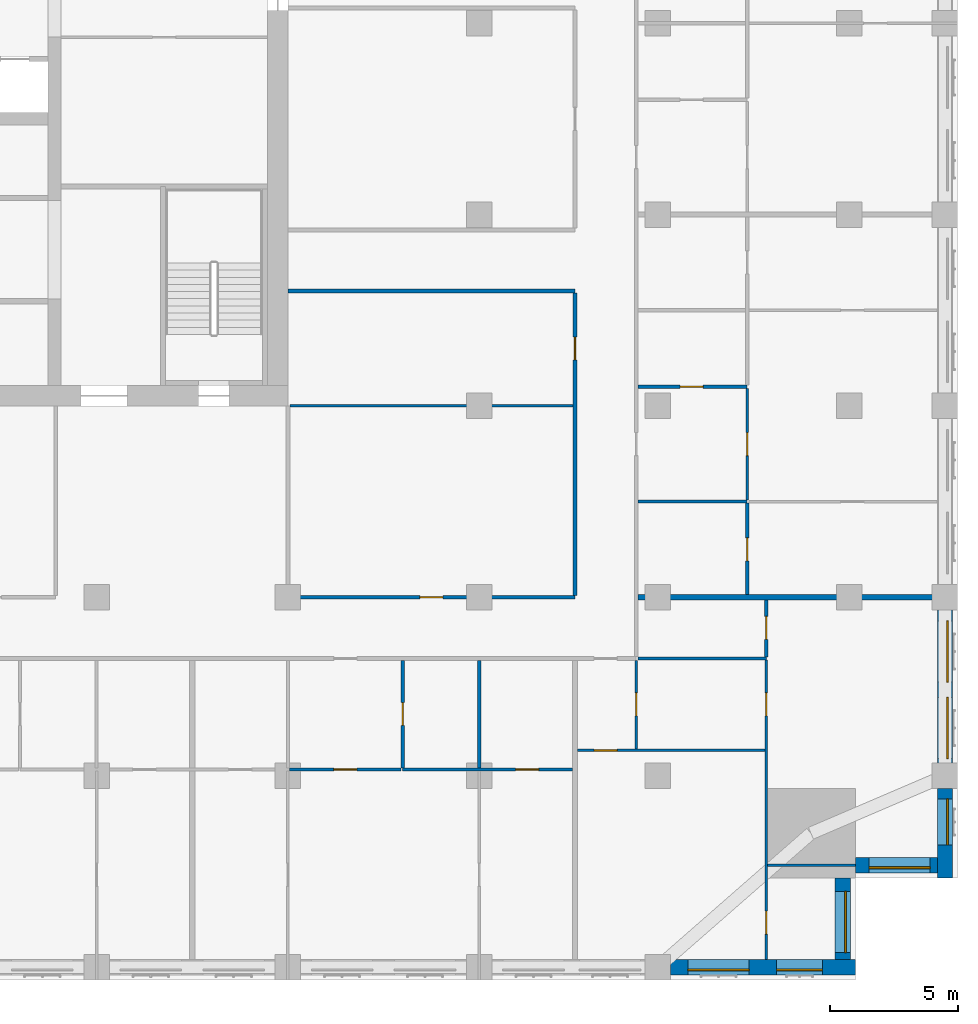
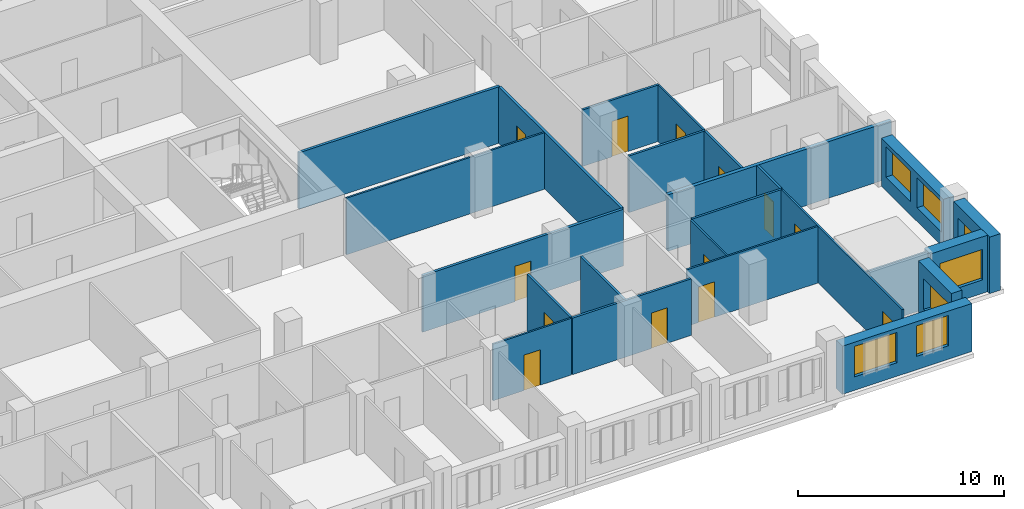
# One storey, part 6 of 13: 24 walls, 13 doors, 7 windows, 20 openings.
"""IFC4 building model written with IfcOpenShell, lengths in metres."""

from ifc_helpers import new_model, si_unit, direction, frame, frame_2d, origin, place, context, subcontext, project, spatial, rectangle, extrude, material, layer, layer_set, type_object, element, fill, save


model = new_model("IFC4")

# Units and contexts
model_context = context("Model", 3, precision=1e-05, world=origin(), true_north=direction((0.0, 1.0)))
body_context = subcontext(model_context, "Body", "Model", "MODEL_VIEW")
ifc_project = project(units=[si_unit("LENGTHUNIT", "METRE"), si_unit("AREAUNIT", "SQUARE_METRE"), si_unit("VOLUMEUNIT", "CUBIC_METRE"), si_unit("PLANEANGLEUNIT", "RADIAN"), si_unit("MASSUNIT", "GRAM", prefix="KILO")], contexts=[model_context])

# Site, building, storey
site_placement = place(None, origin())
site = spatial("IfcSite", under=ifc_project, at=site_placement, CompositionType="ELEMENT")
building_placement = place(site_placement, origin())
building = spatial("IfcBuilding", under=site, at=building_placement, Name="Tamorin Gate", CompositionType="ELEMENT")
storey_placement = place(building_placement, frame((0.0, 0.0, 144.60009765625)))
storey = spatial("IfcBuildingStorey", under=building, at=storey_placement, Name="L35", CompositionType="ELEMENT", Elevation=144.60009765625)

# Wall, openings, windows
ifc_material_1 = material(Name="Precast concrete C40/50", Category="concrete")
ifc_layer_1 = layer(ifc_material_1, 0.60009765625)
ifc_layer_set_1 = layer_set([ifc_layer_1], Name="Precast concrete C40/50")
wall_type_1 = type_object("IfcWallType", Name="Board-marked concrete facade panel 600", PredefinedType="SOLIDWALL", material=ifc_layer_set_1)
wall_1_placement = place(storey_placement, frame((75.0, 38.0, 0.0), z_axis=(0.0, 0.0, 1.0), x_axis=(1.0, 0.0, 0.0)))
wall_1 = element("IfcWall", 1, at=wall_1_placement, inside=storey, type_object=wall_type_1, Name="Facade panel", PredefinedType="SOLIDWALL", context=body_context, shape_type="SweptSolid", body=[
    extrude(rectangle(XDim=7.25, YDim=0.60009765625, at=frame_2d((3.625, 0.0))), origin(), (0.0, 0.0, 1.0), 2.849853515625),
])
opening_1_placement = place(wall_1_placement, frame((0.675048828125, 0.0, 0.800048828125)))
opening_1 = element("IfcOpeningElement", 2, at=opening_1_placement, cuts=wall_1, Name="Opening WN1", PredefinedType="OPENING", context=body_context, shape_type="SweptSolid", body=[
    extrude(rectangle(XDim=2.39990234375, YDim=1.800048828125, at=frame_2d((1.199951171875, 0.89990234375))), frame((0.0, 0.31005859375, 0.0), z_axis=(0.0, -1.0, 0.0), x_axis=(1.0, 0.0, 0.0)), (0.0, 0.0, 1.0), 0.6201171875),
])
opening_2_placement = place(wall_1_placement, frame((4.14990234375, 0.0, 0.800048828125)))
opening_2 = element("IfcOpeningElement", 3, at=opening_2_placement, cuts=wall_1, Name="Opening WN2", PredefinedType="OPENING", context=body_context, shape_type="SweptSolid", body=[
    extrude(rectangle(XDim=1.800048828125, YDim=1.800048828125, at=frame_2d((0.89990234375, 0.89990234375))), frame((0.0, 0.31005859375, 0.0), z_axis=(0.0, -1.0, 0.0), x_axis=(1.0, 0.0, 0.0)), (0.0, 0.0, 1.0), 0.6201171875),
])
ifc_material_2 = material(Name="Clear glass in aluminium frame", Category="aluminium")
window_type_1 = type_object("IfcWindowType", Name="Deep-set window 1800x1800", PartitioningType="SINGLE_PANEL", PredefinedType="WINDOW", material=ifc_material_2)
window_1_placement = place(opening_2_placement, origin())
window_1 = element("IfcWindow", 4, at=window_1_placement, inside=storey, type_object=window_type_1, Name="Deep-set window", OverallHeight=1.800048828125, OverallWidth=1.800048828125, PartitioningType="SINGLE_PANEL", PredefinedType="WINDOW", context=body_context, shape_type="SweptSolid", body=[
    extrude(rectangle(XDim=1.800048828125, YDim=1.800048828125, at=frame_2d((0.89990234375, 0.89990234375))), frame((0.0, -0.070068359375, 0.0), z_axis=(0.0, -1.0, 0.0), x_axis=(1.0, 0.0, 0.0)), (0.0, 0.0, 1.0), 0.06005859375),
])
fill(opening_2, window_1)
window_type_2 = type_object("IfcWindowType", Name="Deep-set window 2400x1800", PartitioningType="SINGLE_PANEL", PredefinedType="WINDOW", material=ifc_material_2)
window_2_placement = place(opening_1_placement, origin())
window_2 = element("IfcWindow", 5, at=window_2_placement, inside=storey, type_object=window_type_2, Name="Deep-set window", OverallHeight=1.800048828125, OverallWidth=2.39990234375, PartitioningType="SINGLE_PANEL", PredefinedType="WINDOW", context=body_context, shape_type="SweptSolid", body=[
    extrude(rectangle(XDim=2.39990234375, YDim=1.800048828125, at=frame_2d((1.199951171875, 0.89990234375))), frame((0.0, -0.070068359375, 0.0), z_axis=(0.0, -1.0, 0.0), x_axis=(1.0, 0.0, 0.0)), (0.0, 0.0, 1.0), 0.06005859375),
])
fill(opening_1, window_2)

# Wall, opening, window
wall_2_placement = place(storey_placement, frame((81.75, 38.300048828125, 0.0), z_axis=(0.0, 0.0, 1.0), x_axis=(0.0, 1.0, 0.0)))
wall_2 = element("IfcWall", 6, at=wall_2_placement, inside=storey, type_object=wall_type_1, Name="Facade panel", PredefinedType="SOLIDWALL", context=body_context, shape_type="SweptSolid", body=[
    extrude(rectangle(XDim=3.199951171875, YDim=0.60009765625, at=frame_2d((1.60009765625, 0.0))), origin(), (0.0, 0.0, 1.0), 3.349853515625),
])
opening_3_placement = place(wall_2_placement, frame((0.27490234375, 0.0, 0.800048828125)))
opening_3 = element("IfcOpeningElement", 7, at=opening_3_placement, cuts=wall_2, Name="Opening WN1", PredefinedType="OPENING", context=body_context, shape_type="SweptSolid", body=[
    extrude(rectangle(XDim=2.39990234375, YDim=1.800048828125, at=frame_2d((1.199951171875, 0.89990234375))), frame((0.0, 0.31005859375, 0.0), z_axis=(0.0, -1.0, 0.0), x_axis=(1.0, 0.0, 0.0)), (0.0, 0.0, 1.0), 0.6201171875),
])
window_3_placement = place(opening_3_placement, origin())
window_3 = element("IfcWindow", 8, at=window_3_placement, inside=storey, type_object=window_type_2, Name="Deep-set window", OverallHeight=1.800048828125, OverallWidth=2.39990234375, PartitioningType="SINGLE_PANEL", PredefinedType="WINDOW", context=body_context, shape_type="SweptSolid", body=[
    extrude(rectangle(XDim=2.39990234375, YDim=1.800048828125, at=frame_2d((1.199951171875, 0.89990234375))), frame((0.0, -0.070068359375, 0.0), z_axis=(0.0, -1.0, 0.0), x_axis=(1.0, 0.0, 0.0)), (0.0, 0.0, 1.0), 0.06005859375),
])
fill(opening_3, window_3)

wall_3_placement = place(storey_placement, frame((82.25, 42.0, 0.0), z_axis=(0.0, 0.0, 1.0), x_axis=(1.0, 0.0, 0.0)))
wall_3 = element("IfcWall", 9, at=wall_3_placement, inside=storey, type_object=wall_type_1, Name="Facade panel", PredefinedType="SOLIDWALL", context=body_context, shape_type="SweptSolid", body=[
    extrude(rectangle(XDim=3.199951171875, YDim=0.60009765625, at=frame_2d((1.60009765625, 0.0))), origin(), (0.0, 0.0, 1.0), 3.349853515625),
])
opening_4_placement = place(wall_3_placement, frame((0.52490234375, 0.0, 0.800048828125)))
opening_4 = element("IfcOpeningElement", 10, at=opening_4_placement, cuts=wall_3, Name="Opening WN1", PredefinedType="OPENING", context=body_context, shape_type="SweptSolid", body=[
    extrude(rectangle(XDim=2.39990234375, YDim=1.800048828125, at=frame_2d((1.199951171875, 0.89990234375))), frame((0.0, 0.31005859375, 0.0), z_axis=(0.0, -1.0, 0.0), x_axis=(1.0, 0.0, 0.0)), (0.0, 0.0, 1.0), 0.6201171875),
])
window_4_placement = place(opening_4_placement, origin())
window_4 = element("IfcWindow", 11, at=window_4_placement, inside=storey, type_object=window_type_2, Name="Deep-set window", OverallHeight=1.800048828125, OverallWidth=2.39990234375, PartitioningType="SINGLE_PANEL", PredefinedType="WINDOW", context=body_context, shape_type="SweptSolid", body=[
    extrude(rectangle(XDim=2.39990234375, YDim=1.800048828125, at=frame_2d((1.199951171875, 0.89990234375))), frame((0.0, -0.070068359375, 0.0), z_axis=(0.0, -1.0, 0.0), x_axis=(1.0, 0.0, 0.0)), (0.0, 0.0, 1.0), 0.06005859375),
])
fill(opening_4, window_4)

wall_4_placement = place(storey_placement, frame((85.75, 41.5, 0.0), z_axis=(0.0, 0.0, 1.0), x_axis=(0.0, 1.0, 0.0)))
wall_4 = element("IfcWall", 12, at=wall_4_placement, inside=storey, type_object=wall_type_1, Name="Facade panel", PredefinedType="SOLIDWALL", context=body_context, shape_type="SweptSolid", body=[
    extrude(rectangle(XDim=3.5, YDim=0.60009765625, at=frame_2d((1.75, 0.0))), origin(), (0.0, 0.0, 1.0), 3.349853515625),
])
opening_5_placement = place(wall_4_placement, frame((1.300048828125, 0.0, 0.800048828125)))
opening_5 = element("IfcOpeningElement", 13, at=opening_5_placement, cuts=wall_4, Name="Opening WN2", PredefinedType="OPENING", context=body_context, shape_type="SweptSolid", body=[
    extrude(rectangle(XDim=1.800048828125, YDim=1.800048828125, at=frame_2d((0.89990234375, 0.89990234375))), frame((0.0, 0.31005859375, 0.0), z_axis=(0.0, -1.0, 0.0), x_axis=(1.0, 0.0, 0.0)), (0.0, 0.0, 1.0), 0.6201171875),
])
window_5_placement = place(opening_5_placement, origin())
window_5 = element("IfcWindow", 14, at=window_5_placement, inside=storey, type_object=window_type_1, Name="Deep-set window", OverallHeight=1.800048828125, OverallWidth=1.800048828125, PartitioningType="SINGLE_PANEL", PredefinedType="WINDOW", context=body_context, shape_type="SweptSolid", body=[
    extrude(rectangle(XDim=1.800048828125, YDim=1.800048828125, at=frame_2d((0.89990234375, 0.89990234375))), frame((0.0, -0.070068359375, 0.0), z_axis=(0.0, -1.0, 0.0), x_axis=(1.0, 0.0, 0.0)), (0.0, 0.0, 1.0), 0.06005859375),
])
fill(opening_5, window_5)

# Wall, openings, windows
wall_5_placement = place(storey_placement, frame((85.75, 46.0, 0.0), z_axis=(0.0, 0.0, 1.0), x_axis=(0.0, 1.0, 0.0)))
wall_5 = element("IfcWall", 15, at=wall_5_placement, inside=storey, type_object=wall_type_1, Name="Facade panel", PredefinedType="SOLIDWALL", context=body_context, shape_type="SweptSolid", body=[
    extrude(rectangle(XDim=6.0, YDim=0.60009765625, at=frame_2d((3.0, 0.0))), origin(), (0.0, 0.0, 1.0), 2.849853515625),
])
opening_6_placement = place(wall_5_placement, frame((0.175048828125, 0.0, 0.800048828125)))
opening_6 = element("IfcOpeningElement", 16, at=opening_6_placement, cuts=wall_5, Name="Opening WN1", PredefinedType="OPENING", context=body_context, shape_type="SweptSolid", body=[
    extrude(rectangle(XDim=2.39990234375, YDim=1.800048828125, at=frame_2d((1.199951171875, 0.89990234375))), frame((0.0, 0.31005859375, 0.0), z_axis=(0.0, -1.0, 0.0), x_axis=(1.0, 0.0, 0.0)), (0.0, 0.0, 1.0), 0.6201171875),
])
opening_7_placement = place(wall_5_placement, frame((3.175048828125, 0.0, 0.800048828125)))
opening_7 = element("IfcOpeningElement", 17, at=opening_7_placement, cuts=wall_5, Name="Opening WN1", PredefinedType="OPENING", context=body_context, shape_type="SweptSolid", body=[
    extrude(rectangle(XDim=2.39990234375, YDim=1.800048828125, at=frame_2d((1.199951171875, 0.89990234375))), frame((0.0, 0.31005859375, 0.0), z_axis=(0.0, -1.0, 0.0), x_axis=(1.0, 0.0, 0.0)), (0.0, 0.0, 1.0), 0.6201171875),
])
window_6_placement = place(opening_6_placement, origin())
window_6 = element("IfcWindow", 18, at=window_6_placement, inside=storey, type_object=window_type_2, Name="Deep-set window", OverallHeight=1.800048828125, OverallWidth=2.39990234375, PartitioningType="SINGLE_PANEL", PredefinedType="WINDOW", context=body_context, shape_type="SweptSolid", body=[
    extrude(rectangle(XDim=2.39990234375, YDim=1.800048828125, at=frame_2d((1.199951171875, 0.89990234375))), frame((0.0, -0.070068359375, 0.0), z_axis=(0.0, -1.0, 0.0), x_axis=(1.0, 0.0, 0.0)), (0.0, 0.0, 1.0), 0.06005859375),
])
fill(opening_6, window_6)
window_7_placement = place(opening_7_placement, origin())
window_7 = element("IfcWindow", 19, at=window_7_placement, inside=storey, type_object=window_type_2, Name="Deep-set window", OverallHeight=1.800048828125, OverallWidth=2.39990234375, PartitioningType="SINGLE_PANEL", PredefinedType="WINDOW", context=body_context, shape_type="SweptSolid", body=[
    extrude(rectangle(XDim=2.39990234375, YDim=1.800048828125, at=frame_2d((1.199951171875, 0.89990234375))), frame((0.0, -0.070068359375, 0.0), z_axis=(0.0, -1.0, 0.0), x_axis=(1.0, 0.0, 0.0)), (0.0, 0.0, 1.0), 0.06005859375),
])
fill(opening_7, window_7)

# Wall, opening, door
ifc_material_3 = material(Name="Gypsum board partition")
ifc_layer_2 = layer(ifc_material_3, 0.14990234375)
ifc_layer_set_2 = layer_set([ifc_layer_2], Name="Corridor wall 150")
wall_type_2 = type_object("IfcWallType", Name="Corridor wall 150", PredefinedType="PARTITIONING", material=ifc_layer_set_2)
wall_6_placement = place(storey_placement, frame((60.0, 52.5, 0.0), z_axis=(0.0, 0.0, 1.0), x_axis=(1.0, 0.0, 0.0)))
wall_6 = element("IfcWall", 20, at=wall_6_placement, inside=storey, type_object=wall_type_2, Name="Corridor wall 150", PredefinedType="PARTITIONING", context=body_context, shape_type="SweptSolid", body=[
    extrude(rectangle(XDim=11.25, YDim=0.14990234375, at=frame_2d((5.625, 0.0))), origin(), (0.0, 0.0, 1.0), 3.349853515625),
])
opening_8_placement = place(wall_6_placement, frame((5.175048828125, 0.0, 0.0)))
opening_8 = element("IfcOpeningElement", 21, at=opening_8_placement, cuts=wall_6, Name="Opening DS1066", PredefinedType="OPENING", context=body_context, shape_type="SweptSolid", body=[
    extrude(rectangle(XDim=0.89990234375, YDim=2.10009765625, at=frame_2d((0.449951171875, 1.050048828125))), frame((0.0, 0.0849609375, 0.0), z_axis=(0.0, -1.0, 0.0), x_axis=(1.0, 0.0, 0.0)), (0.0, 0.0, 1.0), 0.169921875),
])
ifc_material_4 = material(Name="Timber door leaf", Category="wood")
door_type_1 = type_object("IfcDoorType", Name="Door 900 x 2100 FD30S", OperationType="NOTDEFINED", PredefinedType="DOOR", material=ifc_material_4)
door_1_placement = place(opening_8_placement, origin())
door_1 = element("IfcDoor", 22, at=door_1_placement, inside=storey, type_object=door_type_1, Name="Door DS1066", OperationType="SINGLE_SWING_LEFT", OverallHeight=2.10009765625, OverallWidth=0.89990234375, PredefinedType="DOOR", context=body_context, shape_type="SweptSolid", body=[
    extrude(rectangle(XDim=0.89990234375, YDim=2.10009765625, at=frame_2d((0.449951171875, 1.050048828125))), frame((0.0, 0.02490234375, 0.0), z_axis=(0.0, -1.0, 0.0), x_axis=(1.0, 0.0, 0.0)), (0.0, 0.0, 1.0), 0.050048828125),
])
fill(opening_8, door_1)

wall_7_placement = place(storey_placement, frame((71.25, 52.574951171875, 0.0), z_axis=(0.0, 0.0, 1.0), x_axis=(0.0, 1.0, 0.0)))
wall_7 = element("IfcWall", 23, at=wall_7_placement, inside=storey, type_object=wall_type_2, Name="Corridor wall 150", PredefinedType="PARTITIONING", context=body_context, shape_type="SweptSolid", body=[
    extrude(rectangle(XDim=11.85009765625, YDim=0.14990234375, at=frame_2d((5.925048828125, 0.0))), origin(), (0.0, 0.0, 1.0), 3.349853515625),
])
opening_9_placement = place(wall_7_placement, frame((9.22509765625, 0.0, 0.0)))
opening_9 = element("IfcOpeningElement", 24, at=opening_9_placement, cuts=wall_7, Name="Opening DS1070", PredefinedType="OPENING", context=body_context, shape_type="SweptSolid", body=[
    extrude(rectangle(XDim=0.89990234375, YDim=2.10009765625, at=frame_2d((0.449951171875, 1.050048828125))), frame((0.0, 0.0849609375, 0.0), z_axis=(0.0, -1.0, 0.0), x_axis=(1.0, 0.0, 0.0)), (0.0, 0.0, 1.0), 0.169921875),
])
door_2_placement = place(opening_9_placement, origin())
door_2 = element("IfcDoor", 25, at=door_2_placement, inside=storey, type_object=door_type_1, Name="Door DS1070", OperationType="SINGLE_SWING_LEFT", OverallHeight=2.10009765625, OverallWidth=0.89990234375, PredefinedType="DOOR", context=body_context, shape_type="SweptSolid", body=[
    extrude(rectangle(XDim=0.89990234375, YDim=2.10009765625, at=frame_2d((0.449951171875, 1.050048828125))), frame((0.0, 0.02490234375, 0.0), z_axis=(0.0, -1.0, 0.0), x_axis=(1.0, 0.0, 0.0)), (0.0, 0.0, 1.0), 0.050048828125),
])
fill(opening_9, door_2)

# Walls
ifc_layer_3 = layer(ifc_material_3, 0.199951171875)
ifc_layer_set_3 = layer_set([ifc_layer_3], Name="Demising wall 200")
wall_type_3 = type_object("IfcWallType", Name="Demising wall 200", PredefinedType="PARTITIONING", material=ifc_layer_set_3)
wall_8_placement = place(storey_placement, frame((73.72509765625, 52.5, 0.0), z_axis=(0.0, 0.0, 1.0), x_axis=(1.0, 0.0, 0.0)))
element("IfcWall", 26, at=wall_8_placement, inside=storey, type_object=wall_type_3, Name="Demising wall 200", PredefinedType="PARTITIONING", context=body_context, shape_type="SweptSolid", body=[
    extrude(rectangle(XDim=12.52490234375, YDim=0.199951171875, at=frame_2d((6.262451171875, 0.0))), origin(), (0.0, 0.0, 1.0), 3.349853515625),
])
ifc_layer_4 = layer(ifc_material_3, 0.14990234375)
ifc_layer_set_4 = layer_set([ifc_layer_4], Name="Lobby wall 150")
wall_type_4 = type_object("IfcWallType", Name="Lobby wall 150", PredefinedType="PARTITIONING", material=ifc_layer_set_4)
wall_9_placement = place(storey_placement, frame((60.0, 64.5, 0.0), z_axis=(0.0, 0.0, 1.0), x_axis=(1.0, 0.0, 0.0)))
element("IfcWall", 27, at=wall_9_placement, inside=storey, type_object=wall_type_4, Name="Lobby wall 150", PredefinedType="PARTITIONING", context=body_context, shape_type="SweptSolid", body=[
    extrude(rectangle(XDim=11.25, YDim=0.14990234375, at=frame_2d((5.625, 0.0))), origin(), (0.0, 0.0, 1.0), 3.349853515625),
])
ifc_layer_5 = layer(ifc_material_3, 0.10009765625)
ifc_layer_set_5 = layer_set([ifc_layer_5], Name="Room partition 100")
wall_type_5 = type_object("IfcWallType", Name="Room partition 100", PredefinedType="PARTITIONING", material=ifc_layer_set_5)
wall_10_placement = place(storey_placement, frame((78.800048828125, 42.0, 0.0), z_axis=(0.0, 0.0, 1.0), x_axis=(1.0, 0.0, 0.0)))
element("IfcWall", 28, at=wall_10_placement, inside=storey, type_object=wall_type_5, Name="Room partition 100", PredefinedType="PARTITIONING", context=body_context, shape_type="SweptSolid", body=[
    extrude(rectangle(XDim=3.43994140625, YDim=0.10009765625, at=frame_2d((1.719970703125, 0.0))), origin(), (0.0, 0.0, 1.0), 3.349853515625),
])

# Wall, opening, door
wall_11_placement = place(storey_placement, frame((60.0625, 45.75, 0.0), z_axis=(0.0, 0.0, 1.0), x_axis=(1.0, 0.0, 0.0)))
wall_11 = element("IfcWall", 29, at=wall_11_placement, inside=storey, type_object=wall_type_5, Name="Room partition 100", PredefinedType="PARTITIONING", context=body_context, shape_type="SweptSolid", body=[
    extrude(rectangle(XDim=4.375, YDim=0.10009765625, at=frame_2d((2.1875, 0.0))), origin(), (0.0, 0.0, 1.0), 3.349853515625),
])
opening_10_placement = place(wall_11_placement, frame((1.737548828125, 0.0, 0.0)))
opening_10 = element("IfcOpeningElement", 30, at=opening_10_placement, cuts=wall_11, Name="Opening DS1014", PredefinedType="OPENING", context=body_context, shape_type="SweptSolid", body=[
    extrude(rectangle(XDim=0.89990234375, YDim=2.10009765625, at=frame_2d((0.449951171875, 1.050048828125))), frame((0.0, 0.06005859375, 0.0), z_axis=(0.0, -1.0, 0.0), x_axis=(1.0, 0.0, 0.0)), (0.0, 0.0, 1.0), 0.1201171875),
])
door_type_2 = type_object("IfcDoorType", Name="Door 900 x 2100", OperationType="NOTDEFINED", PredefinedType="DOOR", material=ifc_material_4)
door_3_placement = place(opening_10_placement, origin())
door_3 = element("IfcDoor", 31, at=door_3_placement, inside=storey, type_object=door_type_2, Name="Door DS1014", OperationType="SINGLE_SWING_LEFT", OverallHeight=2.10009765625, OverallWidth=0.89990234375, PredefinedType="DOOR", context=body_context, shape_type="SweptSolid", body=[
    extrude(rectangle(XDim=0.89990234375, YDim=2.10009765625, at=frame_2d((0.449951171875, 1.050048828125))), frame((0.0, 0.02490234375, 0.0), z_axis=(0.0, -1.0, 0.0), x_axis=(1.0, 0.0, 0.0)), (0.0, 0.0, 1.0), 0.050048828125),
])
fill(opening_10, door_3)

wall_12_placement = place(storey_placement, frame((71.35009765625, 46.5, 0.0), z_axis=(0.0, 0.0, 1.0), x_axis=(1.0, 0.0, 0.0)))
wall_12 = element("IfcWall", 32, at=wall_12_placement, inside=storey, type_object=wall_type_5, Name="Room partition 100", PredefinedType="PARTITIONING", context=body_context, shape_type="SweptSolid", body=[
    extrude(rectangle(XDim=7.349853515625, YDim=0.10009765625, at=frame_2d((3.6748046875, 0.0))), origin(), (0.0, 0.0, 1.0), 3.349853515625),
])
opening_11_placement = place(wall_12_placement, frame((0.64990234375, 0.0, 0.0)))
opening_11 = element("IfcOpeningElement", 33, at=opening_11_placement, cuts=wall_12, Name="Opening DS1052", PredefinedType="OPENING", context=body_context, shape_type="SweptSolid", body=[
    extrude(rectangle(XDim=0.89990234375, YDim=2.10009765625, at=frame_2d((0.449951171875, 1.050048828125))), frame((0.0, 0.06005859375, 0.0), z_axis=(0.0, -1.0, 0.0), x_axis=(1.0, 0.0, 0.0)), (0.0, 0.0, 1.0), 0.1201171875),
])
door_4_placement = place(opening_11_placement, origin())
door_4 = element("IfcDoor", 34, at=door_4_placement, inside=storey, type_object=door_type_2, Name="Door DS1052", OperationType="SINGLE_SWING_RIGHT", OverallHeight=2.10009765625, OverallWidth=0.89990234375, PredefinedType="DOOR", context=body_context, shape_type="SweptSolid", body=[
    extrude(rectangle(XDim=0.89990234375, YDim=2.10009765625, at=frame_2d((0.449951171875, 1.050048828125))), frame((0.0, 0.02490234375, 0.0), z_axis=(0.0, -1.0, 0.0), x_axis=(1.0, 0.0, 0.0)), (0.0, 0.0, 1.0), 0.050048828125),
])
fill(opening_11, door_4)

# Wall
wall_13_placement = place(storey_placement, frame((60.074951171875, 60.0, 0.0), z_axis=(0.0, 0.0, 1.0), x_axis=(1.0, 0.0, 0.0)))
element("IfcWall", 35, at=wall_13_placement, inside=storey, type_object=wall_type_5, Name="Room partition 100", PredefinedType="PARTITIONING", context=body_context, shape_type="SweptSolid", body=[
    extrude(rectangle(XDim=11.10009765625, YDim=0.10009765625, at=frame_2d((5.550048828125, 0.0))), origin(), (0.0, 0.0, 1.0), 3.349853515625),
])

# Wall, opening, door
wall_14_placement = place(storey_placement, frame((73.64990234375, 46.550048828125, 0.0), z_axis=(0.0, 0.0, 1.0), x_axis=(0.0, 1.0, 0.0)))
wall_14 = element("IfcWall", 36, at=wall_14_placement, inside=storey, type_object=wall_type_5, Name="Room partition 100", PredefinedType="PARTITIONING", context=body_context, shape_type="SweptSolid", body=[
    extrude(rectangle(XDim=3.474853515625, YDim=0.10009765625, at=frame_2d((1.7373046875, 0.0))), origin(), (0.0, 0.0, 1.0), 3.349853515625),
])
opening_12_placement = place(wall_14_placement, frame((1.300048828125, 0.0, 0.0)))
opening_12 = element("IfcOpeningElement", 37, at=opening_12_placement, cuts=wall_14, Name="Opening DS1053", PredefinedType="OPENING", context=body_context, shape_type="SweptSolid", body=[
    extrude(rectangle(XDim=0.89990234375, YDim=2.10009765625, at=frame_2d((0.449951171875, 1.050048828125))), frame((0.0, 0.06005859375, 0.0), z_axis=(0.0, -1.0, 0.0), x_axis=(1.0, 0.0, 0.0)), (0.0, 0.0, 1.0), 0.1201171875),
])
door_5_placement = place(opening_12_placement, origin())
door_5 = element("IfcDoor", 38, at=door_5_placement, inside=storey, type_object=door_type_2, Name="Door DS1053", OperationType="SINGLE_SWING_RIGHT", OverallHeight=2.10009765625, OverallWidth=0.89990234375, PredefinedType="DOOR", context=body_context, shape_type="SweptSolid", body=[
    extrude(rectangle(XDim=0.89990234375, YDim=2.10009765625, at=frame_2d((0.449951171875, 1.050048828125))), frame((0.0, 0.02490234375, 0.0), z_axis=(0.0, -1.0, 0.0), x_axis=(1.0, 0.0, 0.0)), (0.0, 0.0, 1.0), 0.050048828125),
])
fill(opening_12, door_5)

wall_15_placement = place(storey_placement, frame((78.0, 56.3125, 0.0), z_axis=(0.0, 0.0, 1.0), x_axis=(0.0, 1.0, 0.0)))
wall_15 = element("IfcWall", 39, at=wall_15_placement, inside=storey, type_object=wall_type_5, Name="Room partition 100", PredefinedType="PARTITIONING", context=body_context, shape_type="SweptSolid", body=[
    extrude(rectangle(XDim=4.375, YDim=0.10009765625, at=frame_2d((2.1875, 0.0))), origin(), (0.0, 0.0, 1.0), 3.349853515625),
])
opening_13_placement = place(wall_15_placement, frame((1.737548828125, 0.0, 0.0)))
opening_13 = element("IfcOpeningElement", 40, at=opening_13_placement, cuts=wall_15, Name="Opening DS1038", PredefinedType="OPENING", context=body_context, shape_type="SweptSolid", body=[
    extrude(rectangle(XDim=0.89990234375, YDim=2.10009765625, at=frame_2d((0.449951171875, 1.050048828125))), frame((0.0, 0.06005859375, 0.0), z_axis=(0.0, -1.0, 0.0), x_axis=(1.0, 0.0, 0.0)), (0.0, 0.0, 1.0), 0.1201171875),
])
door_6_placement = place(opening_13_placement, origin())
door_6 = element("IfcDoor", 41, at=door_6_placement, inside=storey, type_object=door_type_2, Name="Door DS1038", OperationType="SINGLE_SWING_LEFT", OverallHeight=2.10009765625, OverallWidth=0.89990234375, PredefinedType="DOOR", context=body_context, shape_type="SweptSolid", body=[
    extrude(rectangle(XDim=0.89990234375, YDim=2.10009765625, at=frame_2d((0.449951171875, 1.050048828125))), frame((0.0, 0.02490234375, 0.0), z_axis=(0.0, -1.0, 0.0), x_axis=(1.0, 0.0, 0.0)), (0.0, 0.0, 1.0), 0.050048828125),
])
fill(opening_13, door_6)

# Wall, openings, doors
wall_16_placement = place(storey_placement, frame((78.75, 38.31005859375, 0.0), z_axis=(0.0, 0.0, 1.0), x_axis=(0.0, 1.0, 0.0)))
wall_16 = element("IfcWall", 42, at=wall_16_placement, inside=storey, type_object=wall_type_5, Name="Room partition 100", PredefinedType="PARTITIONING", context=body_context, shape_type="SweptSolid", body=[
    extrude(rectangle(XDim=11.7275390625, YDim=0.10009765625, at=frame_2d((5.86376953125, 0.0))), origin(), (0.0, 0.0, 1.0), 3.349853515625),
])
opening_14_placement = place(wall_16_placement, frame((0.989990234375, 0.0, 0.0)))
opening_14 = element("IfcOpeningElement", 43, at=opening_14_placement, cuts=wall_16, Name="Opening DS1054", PredefinedType="OPENING", context=body_context, shape_type="SweptSolid", body=[
    extrude(rectangle(XDim=0.89990234375, YDim=2.10009765625, at=frame_2d((0.449951171875, 1.050048828125))), frame((0.0, 0.06005859375, 0.0), z_axis=(0.0, -1.0, 0.0), x_axis=(1.0, 0.0, 0.0)), (0.0, 0.0, 1.0), 0.1201171875),
])
opening_15_placement = place(wall_16_placement, frame((9.5400390625, 0.0, 0.0)))
opening_15 = element("IfcOpeningElement", 44, at=opening_15_placement, cuts=wall_16, Name="Opening DS1055", PredefinedType="OPENING", context=body_context, shape_type="SweptSolid", body=[
    extrude(rectangle(XDim=0.89990234375, YDim=2.10009765625, at=frame_2d((0.449951171875, 1.050048828125))), frame((0.0, 0.06005859375, 0.0), z_axis=(0.0, -1.0, 0.0), x_axis=(1.0, 0.0, 0.0)), (0.0, 0.0, 1.0), 0.1201171875),
])
door_7_placement = place(opening_14_placement, origin())
door_7 = element("IfcDoor", 45, at=door_7_placement, inside=storey, type_object=door_type_2, Name="Door DS1054", OperationType="SINGLE_SWING_LEFT", OverallHeight=2.10009765625, OverallWidth=0.89990234375, PredefinedType="DOOR", context=body_context, shape_type="SweptSolid", body=[
    extrude(rectangle(XDim=0.89990234375, YDim=2.10009765625, at=frame_2d((0.449951171875, 1.050048828125))), frame((0.0, 0.02490234375, 0.0), z_axis=(0.0, -1.0, 0.0), x_axis=(1.0, 0.0, 0.0)), (0.0, 0.0, 1.0), 0.050048828125),
])
fill(opening_14, door_7)
door_8_placement = place(opening_15_placement, origin())
door_8 = element("IfcDoor", 46, at=door_8_placement, inside=storey, type_object=door_type_2, Name="Door DS1055", OperationType="SINGLE_SWING_RIGHT", OverallHeight=2.10009765625, OverallWidth=0.89990234375, PredefinedType="DOOR", context=body_context, shape_type="SweptSolid", body=[
    extrude(rectangle(XDim=0.89990234375, YDim=2.10009765625, at=frame_2d((0.449951171875, 1.050048828125))), frame((0.0, 0.02490234375, 0.0), z_axis=(0.0, -1.0, 0.0), x_axis=(1.0, 0.0, 0.0)), (0.0, 0.0, 1.0), 0.050048828125),
])
fill(opening_15, door_8)

# Wall, opening, door
ifc_layer_6 = layer(ifc_material_3, 0.125)
ifc_layer_set_6 = layer_set([ifc_layer_6], Name="Wet wall 125")
wall_type_6 = type_object("IfcWallType", Name="Wet wall 125", PredefinedType="PARTITIONING", material=ifc_layer_set_6)
wall_17_placement = place(storey_placement, frame((64.5, 45.75, 0.0), z_axis=(0.0, 0.0, 1.0), x_axis=(1.0, 0.0, 0.0)))
wall_17 = element("IfcWall", 47, at=wall_17_placement, inside=storey, type_object=wall_type_6, Name="Wet wall 125", PredefinedType="PARTITIONING", context=body_context, shape_type="SweptSolid", body=[
    extrude(rectangle(XDim=6.64990234375, YDim=0.125, at=frame_2d((3.324951171875, 0.0))), origin(), (0.0, 0.0, 1.0), 3.349853515625),
])
opening_16_placement = place(wall_17_placement, frame((4.425048828125, 0.0, 0.0)))
opening_16 = element("IfcOpeningElement", 48, at=opening_16_placement, cuts=wall_17, Name="Opening DS1016", PredefinedType="OPENING", context=body_context, shape_type="SweptSolid", body=[
    extrude(rectangle(XDim=0.89990234375, YDim=2.10009765625, at=frame_2d((0.449951171875, 1.050048828125))), frame((0.0, 0.072509765625, 0.0), z_axis=(0.0, -1.0, 0.0), x_axis=(1.0, 0.0, 0.0)), (0.0, 0.0, 1.0), 0.14501953125),
])
door_9_placement = place(opening_16_placement, origin())
door_9 = element("IfcDoor", 49, at=door_9_placement, inside=storey, type_object=door_type_2, Name="Door DS1016", OperationType="SINGLE_SWING_LEFT", OverallHeight=2.10009765625, OverallWidth=0.89990234375, PredefinedType="DOOR", context=body_context, shape_type="SweptSolid", body=[
    extrude(rectangle(XDim=0.89990234375, YDim=2.10009765625, at=frame_2d((0.449951171875, 1.050048828125))), frame((0.0, 0.02490234375, 0.0), z_axis=(0.0, -1.0, 0.0), x_axis=(1.0, 0.0, 0.0)), (0.0, 0.0, 1.0), 0.050048828125),
])
fill(opening_16, door_9)

# Walls
wall_18_placement = place(storey_placement, frame((73.72509765625, 50.10009765625, 0.0), z_axis=(0.0, 0.0, 1.0), x_axis=(1.0, 0.0, 0.0)))
element("IfcWall", 50, at=wall_18_placement, inside=storey, type_object=wall_type_6, Name="Wet wall 125", PredefinedType="PARTITIONING", context=body_context, shape_type="SweptSolid", body=[
    extrude(rectangle(XDim=5.02490234375, YDim=0.125, at=frame_2d((2.512451171875, 0.0))), origin(), (0.0, 0.0, 1.0), 3.349853515625),
])
wall_19_placement = place(storey_placement, frame((73.72509765625, 56.25, 0.0), z_axis=(0.0, 0.0, 1.0), x_axis=(1.0, 0.0, 0.0)))
element("IfcWall", 51, at=wall_19_placement, inside=storey, type_object=wall_type_6, Name="Wet wall 125", PredefinedType="PARTITIONING", context=body_context, shape_type="SweptSolid", body=[
    extrude(rectangle(XDim=4.27490234375, YDim=0.125, at=frame_2d((2.137451171875, 0.0))), origin(), (0.0, 0.0, 1.0), 3.349853515625),
])

# Wall, opening, door
wall_20_placement = place(storey_placement, frame((73.72509765625, 60.75, 0.0), z_axis=(0.0, 0.0, 1.0), x_axis=(1.0, 0.0, 0.0)))
wall_20 = element("IfcWall", 52, at=wall_20_placement, inside=storey, type_object=wall_type_6, Name="Wet wall 125", PredefinedType="PARTITIONING", context=body_context, shape_type="SweptSolid", body=[
    extrude(rectangle(XDim=4.27490234375, YDim=0.125, at=frame_2d((2.137451171875, 0.0))), origin(), (0.0, 0.0, 1.0), 3.349853515625),
])
opening_17_placement = place(wall_20_placement, frame((1.64990234375, 0.0, 0.0)))
opening_17 = element("IfcOpeningElement", 53, at=opening_17_placement, cuts=wall_20, Name="Opening DS1039", PredefinedType="OPENING", context=body_context, shape_type="SweptSolid", body=[
    extrude(rectangle(XDim=0.89990234375, YDim=2.10009765625, at=frame_2d((0.449951171875, 1.050048828125))), frame((0.0, 0.072509765625, 0.0), z_axis=(0.0, -1.0, 0.0), x_axis=(1.0, 0.0, 0.0)), (0.0, 0.0, 1.0), 0.14501953125),
])
door_10_placement = place(opening_17_placement, origin())
door_10 = element("IfcDoor", 54, at=door_10_placement, inside=storey, type_object=door_type_2, Name="Door DS1039", OperationType="SINGLE_SWING_RIGHT", OverallHeight=2.10009765625, OverallWidth=0.89990234375, PredefinedType="DOOR", context=body_context, shape_type="SweptSolid", body=[
    extrude(rectangle(XDim=0.89990234375, YDim=2.10009765625, at=frame_2d((0.449951171875, 1.050048828125))), frame((0.0, 0.02490234375, 0.0), z_axis=(0.0, -1.0, 0.0), x_axis=(1.0, 0.0, 0.0)), (0.0, 0.0, 1.0), 0.050048828125),
])
fill(opening_17, door_10)

wall_21_placement = place(storey_placement, frame((64.5, 45.8125, 0.0), z_axis=(0.0, 0.0, 1.0), x_axis=(0.0, 1.0, 0.0)))
wall_21 = element("IfcWall", 55, at=wall_21_placement, inside=storey, type_object=wall_type_6, Name="Wet wall 125", PredefinedType="PARTITIONING", context=body_context, shape_type="SweptSolid", body=[
    extrude(rectangle(XDim=4.21240234375, YDim=0.125, at=frame_2d((2.106201171875, 0.0))), origin(), (0.0, 0.0, 1.0), 3.349853515625),
])
opening_18_placement = place(wall_21_placement, frame((1.66259765625, 0.0, 0.0)))
opening_18 = element("IfcOpeningElement", 56, at=opening_18_placement, cuts=wall_21, Name="Opening DS1015", PredefinedType="OPENING", context=body_context, shape_type="SweptSolid", body=[
    extrude(rectangle(XDim=0.89990234375, YDim=2.10009765625, at=frame_2d((0.449951171875, 1.050048828125))), frame((0.0, 0.072509765625, 0.0), z_axis=(0.0, -1.0, 0.0), x_axis=(1.0, 0.0, 0.0)), (0.0, 0.0, 1.0), 0.14501953125),
])
door_11_placement = place(opening_18_placement, origin())
door_11 = element("IfcDoor", 57, at=door_11_placement, inside=storey, type_object=door_type_2, Name="Door DS1015", OperationType="SINGLE_SWING_LEFT", OverallHeight=2.10009765625, OverallWidth=0.89990234375, PredefinedType="DOOR", context=body_context, shape_type="SweptSolid", body=[
    extrude(rectangle(XDim=0.89990234375, YDim=2.10009765625, at=frame_2d((0.449951171875, 1.050048828125))), frame((0.0, 0.02490234375, 0.0), z_axis=(0.0, -1.0, 0.0), x_axis=(1.0, 0.0, 0.0)), (0.0, 0.0, 1.0), 0.050048828125),
])
fill(opening_18, door_11)

# Wall
wall_22_placement = place(storey_placement, frame((67.5, 45.8125, 0.0), z_axis=(0.0, 0.0, 1.0), x_axis=(0.0, 1.0, 0.0)))
element("IfcWall", 58, at=wall_22_placement, inside=storey, type_object=wall_type_6, Name="Wet wall 125", PredefinedType="PARTITIONING", context=body_context, shape_type="SweptSolid", body=[
    extrude(rectangle(XDim=4.21240234375, YDim=0.125, at=frame_2d((2.106201171875, 0.0))), origin(), (0.0, 0.0, 1.0), 3.349853515625),
])

# Wall, opening, door
wall_23_placement = place(storey_placement, frame((78.0, 52.60009765625, 0.0), z_axis=(0.0, 0.0, 1.0), x_axis=(0.0, 1.0, 0.0)))
wall_23 = element("IfcWall", 59, at=wall_23_placement, inside=storey, type_object=wall_type_6, Name="Wet wall 125", PredefinedType="PARTITIONING", context=body_context, shape_type="SweptSolid", body=[
    extrude(rectangle(XDim=3.58740234375, YDim=0.125, at=frame_2d((1.793701171875, 0.0))), origin(), (0.0, 0.0, 1.0), 3.349853515625),
])
opening_19_placement = place(wall_23_placement, frame((1.324951171875, 0.0, 0.0)))
opening_19 = element("IfcOpeningElement", 60, at=opening_19_placement, cuts=wall_23, Name="Opening DS1036", PredefinedType="OPENING", context=body_context, shape_type="SweptSolid", body=[
    extrude(rectangle(XDim=0.89990234375, YDim=2.10009765625, at=frame_2d((0.449951171875, 1.050048828125))), frame((0.0, 0.072509765625, 0.0), z_axis=(0.0, -1.0, 0.0), x_axis=(1.0, 0.0, 0.0)), (0.0, 0.0, 1.0), 0.14501953125),
])
door_12_placement = place(opening_19_placement, origin())
door_12 = element("IfcDoor", 61, at=door_12_placement, inside=storey, type_object=door_type_2, Name="Door DS1036", OperationType="SINGLE_SWING_LEFT", OverallHeight=2.10009765625, OverallWidth=0.89990234375, PredefinedType="DOOR", context=body_context, shape_type="SweptSolid", body=[
    extrude(rectangle(XDim=0.89990234375, YDim=2.10009765625, at=frame_2d((0.449951171875, 1.050048828125))), frame((0.0, 0.02490234375, 0.0), z_axis=(0.0, -1.0, 0.0), x_axis=(1.0, 0.0, 0.0)), (0.0, 0.0, 1.0), 0.050048828125),
])
fill(opening_19, door_12)

wall_24_placement = place(storey_placement, frame((78.75, 50.16259765625, 0.0), z_axis=(0.0, 0.0, 1.0), x_axis=(0.0, 1.0, 0.0)))
wall_24 = element("IfcWall", 62, at=wall_24_placement, inside=storey, type_object=wall_type_6, Name="Wet wall 125", PredefinedType="PARTITIONING", context=body_context, shape_type="SweptSolid", body=[
    extrude(rectangle(XDim=2.2373046875, YDim=0.125, at=frame_2d((1.11865234375, 0.0))), origin(), (0.0, 0.0, 1.0), 3.349853515625),
])
opening_20_placement = place(wall_24_placement, frame((0.6875, 0.0, 0.0)))
opening_20 = element("IfcOpeningElement", 63, at=opening_20_placement, cuts=wall_24, Name="Opening DS1056", PredefinedType="OPENING", context=body_context, shape_type="SweptSolid", body=[
    extrude(rectangle(XDim=0.89990234375, YDim=2.10009765625, at=frame_2d((0.449951171875, 1.050048828125))), frame((0.0, 0.072509765625, 0.0), z_axis=(0.0, -1.0, 0.0), x_axis=(1.0, 0.0, 0.0)), (0.0, 0.0, 1.0), 0.14501953125),
])
door_13_placement = place(opening_20_placement, origin())
door_13 = element("IfcDoor", 64, at=door_13_placement, inside=storey, type_object=door_type_2, Name="Door DS1056", OperationType="SINGLE_SWING_LEFT", OverallHeight=2.10009765625, OverallWidth=0.89990234375, PredefinedType="DOOR", context=body_context, shape_type="SweptSolid", body=[
    extrude(rectangle(XDim=0.89990234375, YDim=2.10009765625, at=frame_2d((0.449951171875, 1.050048828125))), frame((0.0, 0.02490234375, 0.0), z_axis=(0.0, -1.0, 0.0), x_axis=(1.0, 0.0, 0.0)), (0.0, 0.0, 1.0), 0.050048828125),
])
fill(opening_20, door_13)

save(model, "model.ifc")
